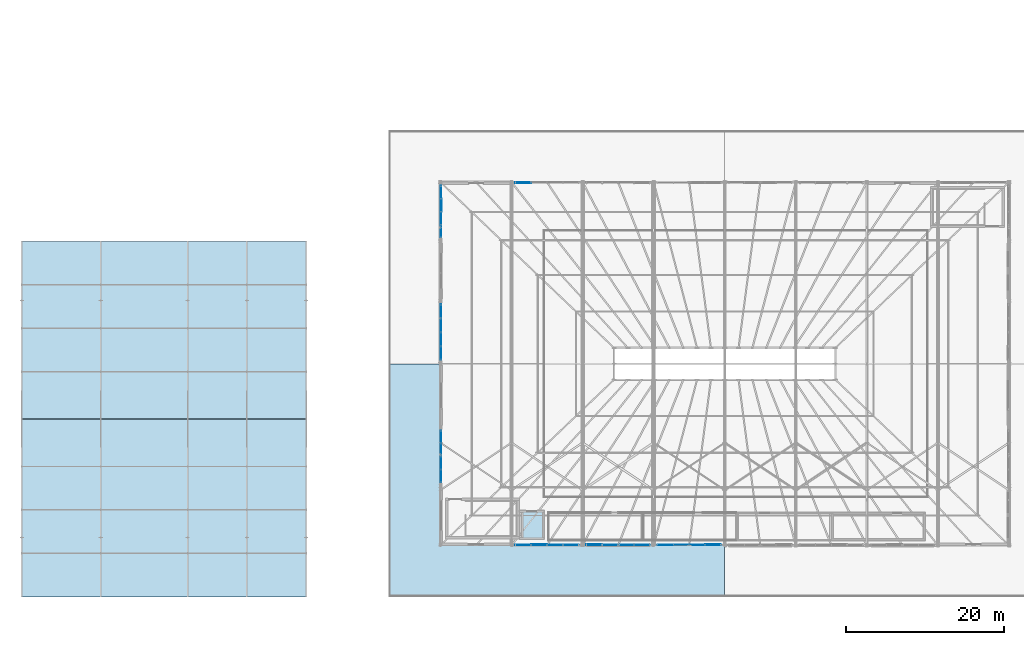
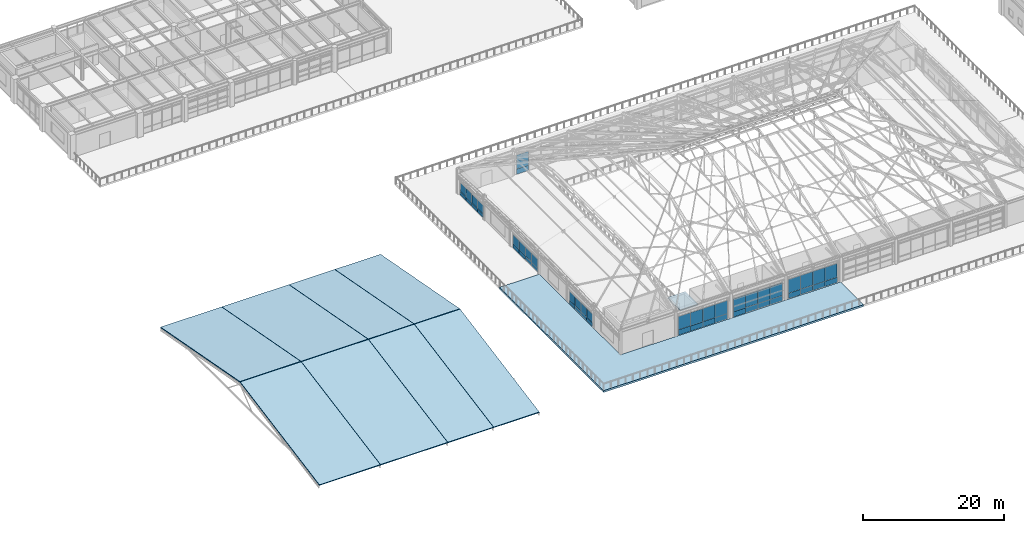
# One storey, part 131 of 168: 50 plates, 10 slabs, 7 elements without a shape of their own.
"""IFC4 building model written with IfcOpenShell, lengths in metres."""

from ifc_helpers import new_model, si_unit, direction, frame, origin, origin_2d, place, context, subcontext, project, spatial, polyline, rectangle, outline, extrude, material, layer, layer_set, type_object, element, aggregate, save


model = new_model("IFC4")

# Units and contexts
model_context = context("Model", 3, precision=1e-05, world=origin(), true_north=direction((0.0, 1.0)))
body_context = subcontext(model_context, "Body", "Model", "MODEL_VIEW")
ifc_project = project(units=[si_unit("LENGTHUNIT", "METRE"), si_unit("AREAUNIT", "SQUARE_METRE"), si_unit("VOLUMEUNIT", "CUBIC_METRE"), si_unit("PLANEANGLEUNIT", "RADIAN"), si_unit("MASSUNIT", "GRAM", prefix="KILO"), si_unit("THERMODYNAMICTEMPERATUREUNIT", "KELVIN"), si_unit("POWERUNIT", "WATT")], contexts=[model_context])

# Site, building, storey
site_placement = place(None, origin())
site = spatial("IfcSite", under=ifc_project, at=site_placement, CompositionType="ELEMENT")
building_placement = place(site_placement, origin())
building = spatial("IfcBuilding", under=site, at=building_placement, Name="Tepalcoro Natatorium and Aquatics Centre", CompositionType="ELEMENT")
storey_placement = place(building_placement, frame((0.0, 0.0, 10.199951171875)))
storey = spatial("IfcBuildingStorey", under=building, at=storey_placement, Name="L02", CompositionType="ELEMENT", Elevation=10.199951171875)

# Curtain wall, plate
ifc_material_1 = material(Name="Bronze-Anodised Extruded Aluminium Alloy EN AW-6063 T6", Category="aluminium")
curtain_wall_type_1 = type_object("IfcCurtainWallType", Name="CW_V3_FOYER", PredefinedType="USERDEFINED", material=ifc_material_1)
curtain_wall_1_placement = place(storey_placement, origin())
curtain_wall_1 = element("IfcCurtainWall", 1, at=curtain_wall_1_placement, inside=storey, type_object=curtain_wall_type_1, Name="V1 L02 S Unitised Curtain Wall Bay 2", ObjectType="UNITISED STOREFRONT", PredefinedType="USERDEFINED")
ifc_material_2 = material(Name="Solar-Control Bronze Tempered Low-E Double Glazing", Category="glass")
ifc_layer_1 = layer(ifc_material_2, 0.048095703125)
ifc_layer_set_1 = layer_set([ifc_layer_1], Name="Solar-Control Bronze Tempered Low-E Double Glazing")
plate_type_1 = type_object("IfcPlateType", Name="PL_ACOUSTIC_IGU_48", PredefinedType="CURTAIN_PANEL", material=ifc_layer_set_1)
plate_1_placement = place(storey_placement, frame((65.4951171875, 13.0712890625, 0.9560546875), z_axis=(0.0, 0.0, 1.0), x_axis=(1.0, 0.0, 0.0)))
plate_1 = element("IfcPlate", 2, at=plate_1_placement, type_object=plate_type_1, Name="CW_V3_FOYER Insulated Glazing Unit", PredefinedType="CURTAIN_PANEL", context=body_context, shape_type="SweptSolid", body=[
    extrude(rectangle(XDim=1.989990234375, YDim=0.048095703125, at=origin_2d()), origin(), (0.0, 0.0, 1.0), 2.26806640625),
])

# Curtain wall, plates
curtain_wall_type_2 = type_object("IfcCurtainWallType", Name="CW_V4_VILLAGE", PredefinedType="USERDEFINED", material=ifc_material_1)
curtain_wall_2_placement = place(storey_placement, origin())
curtain_wall_2 = element("IfcCurtainWall", 3, at=curtain_wall_2_placement, inside=storey, type_object=curtain_wall_type_2, Name="V1 L02 S Unitised Curtain Wall Bay 3", ObjectType="UNITISED STOREFRONT", PredefinedType="USERDEFINED")
plate_2_placement = place(storey_placement, frame((72.485107421875, 13.0712890625, 0.93701171875), z_axis=(0.0, 0.0, 1.0), x_axis=(1.0, 0.0, 0.0)))
plate_2 = element("IfcPlate", 4, at=plate_2_placement, type_object=plate_type_1, Name="CW_V4_VILLAGE Insulated Glazing Unit", PredefinedType="CURTAIN_PANEL", context=body_context, shape_type="SweptSolid", body=[
    extrude(rectangle(XDim=1.989990234375, YDim=0.048095703125, at=origin_2d()), origin(), (0.0, 0.0, 1.0), 2.2109375),
])
plate_3_placement = place(storey_placement, frame((78.514892578125, 13.0712890625, 0.93701171875), z_axis=(0.0, 0.0, 1.0), x_axis=(1.0, 0.0, 0.0)))
plate_3 = element("IfcPlate", 5, at=plate_3_placement, type_object=plate_type_1, Name="CW_V4_VILLAGE Insulated Glazing Unit", PredefinedType="CURTAIN_PANEL", context=body_context, shape_type="SweptSolid", body=[
    extrude(rectangle(XDim=1.989990234375, YDim=0.048095703125, at=origin_2d()), origin(), (0.0, 0.0, 1.0), 2.2109375),
])

# Curtain wall, plate
curtain_wall_type_3 = type_object("IfcCurtainWallType", Name="CW_V5_LOWER", PredefinedType="USERDEFINED", material=ifc_material_1)
curtain_wall_3_placement = place(storey_placement, origin())
curtain_wall_3 = element("IfcCurtainWall", 6, at=curtain_wall_3_placement, inside=storey, type_object=curtain_wall_type_3, Name="V1 L02 S Unitised Curtain Wall Bay 4", ObjectType="UNITISED STOREFRONT", PredefinedType="USERDEFINED")
plate_4_placement = place(storey_placement, frame((85.5048828125, 13.080078125, 0.9599609375), z_axis=(0.0, 0.0, 1.0), x_axis=(1.0, 0.0, 0.0)))
plate_4 = element("IfcPlate", 7, at=plate_4_placement, type_object=plate_type_1, Name="CW_V5_LOWER Insulated Glazing Unit", PredefinedType="CURTAIN_PANEL", context=body_context, shape_type="SweptSolid", body=[
    extrude(rectangle(XDim=1.989990234375, YDim=0.048095703125, at=origin_2d()), origin(), (0.0, 0.0, 1.0), 2.386962890625),
])

curtain_wall_type_4 = type_object("IfcCurtainWallType", Name="CW_LEAN_T1_NS", PredefinedType="USERDEFINED", material=ifc_material_1)
curtain_wall_4_placement = place(storey_placement, origin())
curtain_wall_4 = element("IfcCurtainWall", 8, at=curtain_wall_4_placement, inside=storey, type_object=curtain_wall_type_4, Name="V1 L02 W Unitised Curtain Wall Bay 2", ObjectType="FACETED SOLAR GLAZING", PredefinedType="USERDEFINED")
plate_5_placement = place(storey_placement, frame((53.06494140625, 23.4326171875, 0.654541015625), z_axis=(0.0, 0.0, 1.0), x_axis=(1.0, 0.0, 0.0)))
plate_5 = element("IfcPlate", 9, at=plate_5_placement, type_object=plate_type_1, Name="CW_LEAN_T1_NS Insulated Glazing Unit", PredefinedType="CURTAIN_PANEL", context=body_context, shape_type="SweptSolid", body=[
    extrude(rectangle(XDim=0.048095703125, YDim=1.614990234375, at=origin_2d()), origin(), (0.0, 0.0, 1.0), 1.5009765625),
])

# Curtain wall, plates
curtain_wall_type_5 = type_object("IfcCurtainWallType", Name="CW_LEAN_T2_NS", PredefinedType="USERDEFINED", material=ifc_material_1)
curtain_wall_5_placement = place(storey_placement, origin())
curtain_wall_5 = element("IfcCurtainWall", 10, at=curtain_wall_5_placement, inside=storey, type_object=curtain_wall_type_5, Name="V1 L02 W Unitised Curtain Wall Bay 4", ObjectType="FACETED SOLAR GLAZING", PredefinedType="USERDEFINED")
plate_6_placement = place(storey_placement, frame((53.076171875, 37.360107421875, 0.68505859375), z_axis=(0.0, 0.0, 1.0), x_axis=(1.0, 0.0, 0.0)))
plate_6 = element("IfcPlate", 11, at=plate_6_placement, type_object=plate_type_1, Name="CW_LEAN_T2_NS Insulated Glazing Unit", PredefinedType="CURTAIN_PANEL", context=body_context, shape_type="SweptSolid", body=[
    extrude(rectangle(XDim=0.048095703125, YDim=1.739990234375, at=origin_2d()), origin(), (0.0, 0.0, 1.0), 1.572998046875),
])
plate_7_placement = place(storey_placement, frame((53.076171875, 42.639892578125, 0.68505859375), z_axis=(0.0, 0.0, 1.0), x_axis=(1.0, 0.0, 0.0)))
plate_7 = element("IfcPlate", 12, at=plate_7_placement, type_object=plate_type_1, Name="CW_LEAN_T2_NS Insulated Glazing Unit", PredefinedType="CURTAIN_PANEL", context=body_context, shape_type="SweptSolid", body=[
    extrude(rectangle(XDim=0.048095703125, YDim=1.739990234375, at=origin_2d()), origin(), (0.0, 0.0, 1.0), 1.572998046875),
])

# Curtain wall, plate
curtain_wall_type_6 = type_object("IfcCurtainWallType", Name="CW_V1_PLINTH", PredefinedType="USERDEFINED", material=ifc_material_1)
curtain_wall_6_placement = place(storey_placement, origin())
curtain_wall_6 = element("IfcCurtainWall", 13, at=curtain_wall_6_placement, inside=storey, type_object=curtain_wall_type_6, Name="V1 L02 W Unitised Curtain Wall Bay 6", ObjectType="UNITISED STOREFRONT", PredefinedType="USERDEFINED")
plate_8_placement = place(storey_placement, frame((53.090087890625, 56.0673828125, 0.654541015625), z_axis=(0.0, 0.0, 1.0), x_axis=(1.0, 0.0, 0.0)))
plate_8 = element("IfcPlate", 14, at=plate_8_placement, type_object=plate_type_1, Name="CW_V1_PLINTH Insulated Glazing Unit", PredefinedType="CURTAIN_PANEL", context=body_context, shape_type="SweptSolid", body=[
    extrude(rectangle(XDim=0.048095703125, YDim=1.614990234375, at=origin_2d()), origin(), (0.0, 0.0, 1.0), 1.5009765625),
])

# Plate
ifc_layer_2 = layer(ifc_material_2, 0.028076171875)
ifc_layer_set_2 = layer_set([ifc_layer_2], Name="Solar-Control Bronze Tempered Low-E Double Glazing")
plate_type_2 = type_object("IfcPlateType", Name="PL_BRONZE_IGU_28", PredefinedType="CURTAIN_PANEL", material=ifc_layer_set_2)
plate_9_placement = place(storey_placement, frame((63.485107421875, 13.0712890625, 0.9560546875), z_axis=(0.0, 0.0, 1.0), x_axis=(1.0, 0.0, 0.0)))
plate_9 = element("IfcPlate", 15, at=plate_9_placement, type_object=plate_type_2, Name="CW_V3_FOYER Insulated Glazing Unit", PredefinedType="CURTAIN_PANEL", context=body_context, shape_type="SweptSolid", body=[
    extrude(rectangle(XDim=1.989990234375, YDim=0.028076171875, at=origin_2d()), origin(), (0.0, 0.0, 1.0), 2.26806640625),
])

plate_10_placement = place(storey_placement, frame((69.514892578125, 13.0712890625, 0.9560546875), z_axis=(0.0, 0.0, 1.0), x_axis=(1.0, 0.0, 0.0)))
plate_10 = element("IfcPlate", 16, at=plate_10_placement, type_object=plate_type_2, Name="CW_V3_FOYER Insulated Glazing Unit", PredefinedType="CURTAIN_PANEL", context=body_context, shape_type="SweptSolid", body=[
    extrude(rectangle(XDim=1.989990234375, YDim=0.028076171875, at=origin_2d()), origin(), (0.0, 0.0, 1.0), 2.26806640625),
])

plate_11_placement = place(storey_placement, frame((76.5048828125, 13.0712890625, 0.93701171875), z_axis=(0.0, 0.0, 1.0), x_axis=(1.0, 0.0, 0.0)))
plate_11 = element("IfcPlate", 17, at=plate_11_placement, type_object=plate_type_2, Name="CW_V4_VILLAGE Insulated Glazing Unit", PredefinedType="CURTAIN_PANEL", context=body_context, shape_type="SweptSolid", body=[
    extrude(rectangle(XDim=1.989990234375, YDim=0.028076171875, at=origin_2d()), origin(), (0.0, 0.0, 1.0), 2.2109375),
])

plate_12_placement = place(storey_placement, frame((83.4951171875, 13.080078125, 0.9599609375), z_axis=(0.0, 0.0, 1.0), x_axis=(1.0, 0.0, 0.0)))
plate_12 = element("IfcPlate", 18, at=plate_12_placement, type_object=plate_type_2, Name="CW_V5_LOWER Insulated Glazing Unit", PredefinedType="CURTAIN_PANEL", context=body_context, shape_type="SweptSolid", body=[
    extrude(rectangle(XDim=1.989990234375, YDim=0.028076171875, at=origin_2d()), origin(), (0.0, 0.0, 1.0), 2.386962890625),
])

# Curtain wall, plate
curtain_wall_type_7 = type_object("IfcCurtainWallType", Name="CW_LEAN_T1_EW", PredefinedType="USERDEFINED", material=ifc_material_1)
curtain_wall_7_placement = place(storey_placement, origin())
curtain_wall_7 = element("IfcCurtainWall", 19, at=curtain_wall_7_placement, inside=storey, type_object=curtain_wall_type_7, Name="V1 L02 N Unitised Curtain Wall Bay 2", ObjectType="FACETED SOLAR GLAZING", PredefinedType="USERDEFINED")
plate_13_placement = place(storey_placement, frame((63.485107421875, 58.9287109375, 0.9599609375), z_axis=(0.0, 0.0, 1.0), x_axis=(1.0, 0.0, 0.0)))
plate_13 = element("IfcPlate", 20, at=plate_13_placement, type_object=plate_type_2, Name="CW_LEAN_T1_EW Insulated Glazing Unit", PredefinedType="CURTAIN_PANEL", context=body_context, shape_type="SweptSolid", body=[
    extrude(rectangle(XDim=1.989990234375, YDim=0.028076171875, at=origin_2d()), origin(), (0.0, 0.0, 1.0), 2.386962890625),
])

# Plate
plate_14_placement = place(storey_placement, frame((53.06494140625, 21.797607421875, 0.654541015625), z_axis=(0.0, 0.0, 1.0), x_axis=(1.0, 0.0, 0.0)))
plate_14 = element("IfcPlate", 21, at=plate_14_placement, type_object=plate_type_2, Name="CW_LEAN_T1_NS Insulated Glazing Unit", PredefinedType="CURTAIN_PANEL", context=body_context, shape_type="SweptSolid", body=[
    extrude(rectangle(XDim=0.028076171875, YDim=1.614990234375, at=origin_2d()), origin(), (0.0, 0.0, 1.0), 1.5009765625),
])

plate_15_placement = place(storey_placement, frame((53.06494140625, 26.702392578125, 0.654541015625), z_axis=(0.0, 0.0, 1.0), x_axis=(1.0, 0.0, 0.0)))
plate_15 = element("IfcPlate", 22, at=plate_15_placement, type_object=plate_type_2, Name="CW_LEAN_T1_NS Insulated Glazing Unit", PredefinedType="CURTAIN_PANEL", context=body_context, shape_type="SweptSolid", body=[
    extrude(rectangle(XDim=0.028076171875, YDim=1.614990234375, at=origin_2d()), origin(), (0.0, 0.0, 1.0), 1.5009765625),
])

plate_16_placement = place(storey_placement, frame((53.076171875, 40.8798828125, 0.68505859375), z_axis=(0.0, 0.0, 1.0), x_axis=(1.0, 0.0, 0.0)))
plate_16 = element("IfcPlate", 23, at=plate_16_placement, type_object=plate_type_2, Name="CW_LEAN_T2_NS Insulated Glazing Unit", PredefinedType="CURTAIN_PANEL", context=body_context, shape_type="SweptSolid", body=[
    extrude(rectangle(XDim=0.028076171875, YDim=1.739990234375, at=origin_2d()), origin(), (0.0, 0.0, 1.0), 1.572998046875),
])

plate_17_placement = place(storey_placement, frame((53.090087890625, 54.4326171875, 0.654541015625), z_axis=(0.0, 0.0, 1.0), x_axis=(1.0, 0.0, 0.0)))
plate_17 = element("IfcPlate", 24, at=plate_17_placement, type_object=plate_type_2, Name="CW_V1_PLINTH Insulated Glazing Unit", PredefinedType="CURTAIN_PANEL", context=body_context, shape_type="SweptSolid", body=[
    extrude(rectangle(XDim=0.028076171875, YDim=1.614990234375, at=origin_2d()), origin(), (0.0, 0.0, 1.0), 1.5009765625),
])

ifc_material_3 = material(Name="Jalisco Cantera Rosa Volcanic Tuff Ashlar Masonry", Category="masonry")
ifc_layer_3 = layer(ifc_material_3, 0.090087890625)
ifc_layer_set_3 = layer_set([ifc_layer_3], Name="Jalisco Cantera Rosa Volcanic Tuff Ashlar Masonry")
plate_type_3 = type_object("IfcPlateType", Name="PL_CANTERA_90", PredefinedType="SHEET", material=ifc_layer_set_3)
plate_18_placement = place(storey_placement, frame((63.485107421875, 13.0712890625, 0.044921875), z_axis=(0.0, 0.0, 1.0), x_axis=(1.0, 0.0, 0.0)))
plate_18 = element("IfcPlate", 25, at=plate_18_placement, type_object=plate_type_3, Name="CW_V3_FOYER Spandrel & Screen Panel", PredefinedType="SHEET", context=body_context, shape_type="SweptSolid", body=[
    extrude(rectangle(XDim=1.989990234375, YDim=0.090087890625, at=origin_2d()), origin(), (0.0, 0.0, 1.0), 0.906005859375),
])

plate_19_placement = place(storey_placement, frame((87.514892578125, 13.080078125, 0.044921875), z_axis=(0.0, 0.0, 1.0), x_axis=(1.0, 0.0, 0.0)))
plate_19 = element("IfcPlate", 26, at=plate_19_placement, type_object=plate_type_3, Name="CW_V5_LOWER Spandrel & Screen Panel", PredefinedType="SHEET", context=body_context, shape_type="SweptSolid", body=[
    extrude(rectangle(XDim=1.989990234375, YDim=0.090087890625, at=origin_2d()), origin(), (0.0, 0.0, 1.0), 0.909912109375),
])

plate_20_placement = place(storey_placement, frame((53.06494140625, 26.702392578125, 0.045166015625), z_axis=(0.0, 0.0, 1.0), x_axis=(1.0, 0.0, 0.0)))
plate_20 = element("IfcPlate", 27, at=plate_20_placement, type_object=plate_type_3, Name="CW_LEAN_T1_NS Spandrel & Screen Panel", PredefinedType="SHEET", context=body_context, shape_type="SweptSolid", body=[
    extrude(rectangle(XDim=0.090087890625, YDim=1.614990234375, at=origin_2d()), origin(), (0.0, 0.0, 1.0), 0.6044921875),
])

plate_21_placement = place(storey_placement, frame((53.076171875, 40.8798828125, 0.044921875), z_axis=(0.0, 0.0, 1.0), x_axis=(1.0, 0.0, 0.0)))
plate_21 = element("IfcPlate", 28, at=plate_21_placement, type_object=plate_type_3, Name="CW_LEAN_T2_NS Spandrel & Screen Panel", PredefinedType="SHEET", context=body_context, shape_type="SweptSolid", body=[
    extrude(rectangle(XDim=0.090087890625, YDim=1.739990234375, at=origin_2d()), origin(), (0.0, 0.0, 1.0), 0.635009765625),
])

plate_22_placement = place(storey_placement, frame((53.090087890625, 54.4326171875, 0.045166015625), z_axis=(0.0, 0.0, 1.0), x_axis=(1.0, 0.0, 0.0)))
plate_22 = element("IfcPlate", 29, at=plate_22_placement, type_object=plate_type_3, Name="CW_V1_PLINTH Spandrel & Screen Panel", PredefinedType="SHEET", context=body_context, shape_type="SweptSolid", body=[
    extrude(rectangle(XDim=0.090087890625, YDim=1.614990234375, at=origin_2d()), origin(), (0.0, 0.0, 1.0), 0.6044921875),
])

ifc_material_4 = material(Name="Clear Tempered Low-E Safety Glazing", Category="glass")
ifc_layer_4 = layer(ifc_material_4, 0.011962890625)
ifc_layer_set_4 = layer_set([ifc_layer_4], Name="Clear Tempered Low-E Safety Glazing")
plate_type_4 = type_object("IfcPlateType", Name="PL_GLASS_12", PredefinedType="CURTAIN_PANEL", material=ifc_layer_set_4)
plate_23_placement = place(storey_placement, frame((67.5048828125, 13.0712890625, 0.9560546875), z_axis=(0.0, 0.0, 1.0), x_axis=(1.0, 0.0, 0.0)))
plate_23 = element("IfcPlate", 30, at=plate_23_placement, type_object=plate_type_4, Name="CW_V3_FOYER Insulated Glazing Unit", PredefinedType="CURTAIN_PANEL", context=body_context, shape_type="SweptSolid", body=[
    extrude(rectangle(XDim=1.989990234375, YDim=0.011962890625, at=origin_2d()), origin(), (0.0, 0.0, 1.0), 2.26806640625),
])

plate_24_placement = place(storey_placement, frame((74.4951171875, 13.0712890625, 0.93701171875), z_axis=(0.0, 0.0, 1.0), x_axis=(1.0, 0.0, 0.0)))
plate_24 = element("IfcPlate", 31, at=plate_24_placement, type_object=plate_type_4, Name="CW_V4_VILLAGE Insulated Glazing Unit", PredefinedType="CURTAIN_PANEL", context=body_context, shape_type="SweptSolid", body=[
    extrude(rectangle(XDim=1.989990234375, YDim=0.011962890625, at=origin_2d()), origin(), (0.0, 0.0, 1.0), 2.2109375),
])

plate_25_placement = place(storey_placement, frame((81.485107421875, 13.080078125, 0.9599609375), z_axis=(0.0, 0.0, 1.0), x_axis=(1.0, 0.0, 0.0)))
plate_25 = element("IfcPlate", 32, at=plate_25_placement, type_object=plate_type_4, Name="CW_V5_LOWER Insulated Glazing Unit", PredefinedType="CURTAIN_PANEL", context=body_context, shape_type="SweptSolid", body=[
    extrude(rectangle(XDim=1.989990234375, YDim=0.011962890625, at=origin_2d()), origin(), (0.0, 0.0, 1.0), 2.386962890625),
])

plate_26_placement = place(storey_placement, frame((87.514892578125, 13.080078125, 0.9599609375), z_axis=(0.0, 0.0, 1.0), x_axis=(1.0, 0.0, 0.0)))
plate_26 = element("IfcPlate", 33, at=plate_26_placement, type_object=plate_type_4, Name="CW_V5_LOWER Insulated Glazing Unit", PredefinedType="CURTAIN_PANEL", context=body_context, shape_type="SweptSolid", body=[
    extrude(rectangle(XDim=1.989990234375, YDim=0.011962890625, at=origin_2d()), origin(), (0.0, 0.0, 1.0), 2.386962890625),
])

plate_27_placement = place(storey_placement, frame((53.06494140625, 25.0673828125, 0.654541015625), z_axis=(0.0, 0.0, 1.0), x_axis=(1.0, 0.0, 0.0)))
plate_27 = element("IfcPlate", 34, at=plate_27_placement, type_object=plate_type_4, Name="CW_LEAN_T1_NS Insulated Glazing Unit", PredefinedType="CURTAIN_PANEL", context=body_context, shape_type="SweptSolid", body=[
    extrude(rectangle(XDim=0.011962890625, YDim=1.614990234375, at=origin_2d()), origin(), (0.0, 0.0, 1.0), 1.5009765625),
])

plate_28_placement = place(storey_placement, frame((53.076171875, 39.1201171875, 0.68505859375), z_axis=(0.0, 0.0, 1.0), x_axis=(1.0, 0.0, 0.0)))
plate_28 = element("IfcPlate", 35, at=plate_28_placement, type_object=plate_type_4, Name="CW_LEAN_T2_NS Insulated Glazing Unit", PredefinedType="CURTAIN_PANEL", context=body_context, shape_type="SweptSolid", body=[
    extrude(rectangle(XDim=0.011962890625, YDim=1.739990234375, at=origin_2d()), origin(), (0.0, 0.0, 1.0), 1.572998046875),
])

plate_29_placement = place(storey_placement, frame((53.090087890625, 52.797607421875, 0.654541015625), z_axis=(0.0, 0.0, 1.0), x_axis=(1.0, 0.0, 0.0)))
plate_29 = element("IfcPlate", 36, at=plate_29_placement, type_object=plate_type_4, Name="CW_V1_PLINTH Insulated Glazing Unit", PredefinedType="CURTAIN_PANEL", context=body_context, shape_type="SweptSolid", body=[
    extrude(rectangle(XDim=0.011962890625, YDim=1.614990234375, at=origin_2d()), origin(), (0.0, 0.0, 1.0), 1.5009765625),
])

plate_30_placement = place(storey_placement, frame((53.090087890625, 57.702392578125, 0.654541015625), z_axis=(0.0, 0.0, 1.0), x_axis=(1.0, 0.0, 0.0)))
plate_30 = element("IfcPlate", 37, at=plate_30_placement, type_object=plate_type_4, Name="CW_V1_PLINTH Insulated Glazing Unit", PredefinedType="CURTAIN_PANEL", context=body_context, shape_type="SweptSolid", body=[
    extrude(rectangle(XDim=0.011962890625, YDim=1.614990234375, at=origin_2d()), origin(), (0.0, 0.0, 1.0), 1.5009765625),
])

ifc_material_5 = material(Name="Volcanic Recinto Basalt Ashlar Masonry", Category="masonry")
ifc_layer_5 = layer(ifc_material_5, 0.110107421875)
ifc_layer_set_5 = layer_set([ifc_layer_5], Name="Volcanic Recinto Basalt Ashlar Masonry")
plate_type_5 = type_object("IfcPlateType", Name="PL_RECINTO_110", PredefinedType="SHEET", material=ifc_layer_set_5)
plate_31_placement = place(storey_placement, frame((65.4951171875, 13.0712890625, 0.044921875), z_axis=(0.0, 0.0, 1.0), x_axis=(1.0, 0.0, 0.0)))
plate_31 = element("IfcPlate", 38, at=plate_31_placement, type_object=plate_type_5, Name="CW_V3_FOYER Spandrel & Screen Panel", PredefinedType="SHEET", context=body_context, shape_type="SweptSolid", body=[
    extrude(rectangle(XDim=1.989990234375, YDim=0.110107421875, at=origin_2d()), origin(), (0.0, 0.0, 1.0), 0.906005859375),
])

plate_32_placement = place(storey_placement, frame((72.485107421875, 13.0712890625, 0.044921875), z_axis=(0.0, 0.0, 1.0), x_axis=(1.0, 0.0, 0.0)))
plate_32 = element("IfcPlate", 39, at=plate_32_placement, type_object=plate_type_5, Name="CW_V4_VILLAGE Spandrel & Screen Panel", PredefinedType="SHEET", context=body_context, shape_type="SweptSolid", body=[
    extrude(rectangle(XDim=1.989990234375, YDim=0.110107421875, at=origin_2d()), origin(), (0.0, 0.0, 1.0), 0.886962890625),
])

plate_33_placement = place(storey_placement, frame((63.485107421875, 58.9287109375, 0.044921875), z_axis=(0.0, 0.0, 1.0), x_axis=(1.0, 0.0, 0.0)))
plate_33 = element("IfcPlate", 40, at=plate_33_placement, type_object=plate_type_5, Name="CW_LEAN_T1_EW Spandrel & Screen Panel", PredefinedType="SHEET", context=body_context, shape_type="SweptSolid", body=[
    extrude(rectangle(XDim=1.989990234375, YDim=0.110107421875, at=origin_2d()), origin(), (0.0, 0.0, 1.0), 0.909912109375),
])

aggregate(curtain_wall_7, [plate_13, plate_33])

plate_34_placement = place(storey_placement, frame((53.076171875, 42.639892578125, 0.044921875), z_axis=(0.0, 0.0, 1.0), x_axis=(1.0, 0.0, 0.0)))
plate_34 = element("IfcPlate", 41, at=plate_34_placement, type_object=plate_type_5, Name="CW_LEAN_T2_NS Spandrel & Screen Panel", PredefinedType="SHEET", context=body_context, shape_type="SweptSolid", body=[
    extrude(rectangle(XDim=0.110107421875, YDim=1.739990234375, at=origin_2d()), origin(), (0.0, 0.0, 1.0), 0.635009765625),
])

plate_35_placement = place(storey_placement, frame((53.090087890625, 56.0673828125, 0.045166015625), z_axis=(0.0, 0.0, 1.0), x_axis=(1.0, 0.0, 0.0)))
plate_35 = element("IfcPlate", 42, at=plate_35_placement, type_object=plate_type_5, Name="CW_V1_PLINTH Spandrel & Screen Panel", PredefinedType="SHEET", context=body_context, shape_type="SweptSolid", body=[
    extrude(rectangle(XDim=0.110107421875, YDim=1.614990234375, at=origin_2d()), origin(), (0.0, 0.0, 1.0), 0.6044921875),
])

ifc_layer_6 = layer(ifc_material_1, 0.050048828125)
ifc_layer_set_6 = layer_set([ifc_layer_6], Name="Bronze-Anodised Extruded Aluminium Alloy EN AW-6063 T6")
plate_type_6 = type_object("IfcPlateType", Name="PL_SCREEN_50", PredefinedType="SHEET", material=ifc_layer_set_6)
plate_36_placement = place(storey_placement, frame((69.514892578125, 13.0712890625, 0.044921875), z_axis=(0.0, 0.0, 1.0), x_axis=(1.0, 0.0, 0.0)))
plate_36 = element("IfcPlate", 43, at=plate_36_placement, type_object=plate_type_6, Name="CW_V3_FOYER Spandrel & Screen Panel", PredefinedType="SHEET", context=body_context, shape_type="SweptSolid", body=[
    extrude(rectangle(XDim=1.989990234375, YDim=0.050048828125, at=origin_2d()), origin(), (0.0, 0.0, 1.0), 0.906005859375),
])

plate_37_placement = place(storey_placement, frame((76.5048828125, 13.0712890625, 0.044921875), z_axis=(0.0, 0.0, 1.0), x_axis=(1.0, 0.0, 0.0)))
plate_37 = element("IfcPlate", 44, at=plate_37_placement, type_object=plate_type_6, Name="CW_V4_VILLAGE Spandrel & Screen Panel", PredefinedType="SHEET", context=body_context, shape_type="SweptSolid", body=[
    extrude(rectangle(XDim=1.989990234375, YDim=0.050048828125, at=origin_2d()), origin(), (0.0, 0.0, 1.0), 0.886962890625),
])

plate_38_placement = place(storey_placement, frame((83.4951171875, 13.080078125, 0.044921875), z_axis=(0.0, 0.0, 1.0), x_axis=(1.0, 0.0, 0.0)))
plate_38 = element("IfcPlate", 45, at=plate_38_placement, type_object=plate_type_6, Name="CW_V5_LOWER Spandrel & Screen Panel", PredefinedType="SHEET", context=body_context, shape_type="SweptSolid", body=[
    extrude(rectangle(XDim=1.989990234375, YDim=0.050048828125, at=origin_2d()), origin(), (0.0, 0.0, 1.0), 0.909912109375),
])

plate_39_placement = place(storey_placement, frame((53.06494140625, 23.4326171875, 0.045166015625), z_axis=(0.0, 0.0, 1.0), x_axis=(1.0, 0.0, 0.0)))
plate_39 = element("IfcPlate", 46, at=plate_39_placement, type_object=plate_type_6, Name="CW_LEAN_T1_NS Spandrel & Screen Panel", PredefinedType="SHEET", context=body_context, shape_type="SweptSolid", body=[
    extrude(rectangle(XDim=0.050048828125, YDim=1.614990234375, at=origin_2d()), origin(), (0.0, 0.0, 1.0), 0.6044921875),
])

plate_40_placement = place(storey_placement, frame((53.076171875, 37.360107421875, 0.044921875), z_axis=(0.0, 0.0, 1.0), x_axis=(1.0, 0.0, 0.0)))
plate_40 = element("IfcPlate", 47, at=plate_40_placement, type_object=plate_type_6, Name="CW_LEAN_T2_NS Spandrel & Screen Panel", PredefinedType="SHEET", context=body_context, shape_type="SweptSolid", body=[
    extrude(rectangle(XDim=0.050048828125, YDim=1.739990234375, at=origin_2d()), origin(), (0.0, 0.0, 1.0), 0.635009765625),
])

ifc_layer_7 = layer(ifc_material_1, 0.06005859375)
ifc_layer_set_7 = layer_set([ifc_layer_7], Name="Bronze-Anodised Extruded Aluminium Alloy EN AW-6063 T6")
plate_type_7 = type_object("IfcPlateType", Name="PL_SCREEN_60", PredefinedType="SHEET", material=ifc_layer_set_7)
plate_41_placement = place(storey_placement, frame((78.514892578125, 13.0712890625, 0.044921875), z_axis=(0.0, 0.0, 1.0), x_axis=(1.0, 0.0, 0.0)))
plate_41 = element("IfcPlate", 48, at=plate_41_placement, type_object=plate_type_7, Name="CW_V4_VILLAGE Spandrel & Screen Panel", PredefinedType="SHEET", context=body_context, shape_type="SweptSolid", body=[
    extrude(rectangle(XDim=1.989990234375, YDim=0.06005859375, at=origin_2d()), origin(), (0.0, 0.0, 1.0), 0.886962890625),
])

plate_42_placement = place(storey_placement, frame((85.5048828125, 13.080078125, 0.044921875), z_axis=(0.0, 0.0, 1.0), x_axis=(1.0, 0.0, 0.0)))
plate_42 = element("IfcPlate", 49, at=plate_42_placement, type_object=plate_type_7, Name="CW_V5_LOWER Spandrel & Screen Panel", PredefinedType="SHEET", context=body_context, shape_type="SweptSolid", body=[
    extrude(rectangle(XDim=1.989990234375, YDim=0.06005859375, at=origin_2d()), origin(), (0.0, 0.0, 1.0), 0.909912109375),
])

plate_43_placement = place(storey_placement, frame((53.06494140625, 25.0673828125, 0.045166015625), z_axis=(0.0, 0.0, 1.0), x_axis=(1.0, 0.0, 0.0)))
plate_43 = element("IfcPlate", 50, at=plate_43_placement, type_object=plate_type_7, Name="CW_LEAN_T1_NS Spandrel & Screen Panel", PredefinedType="SHEET", context=body_context, shape_type="SweptSolid", body=[
    extrude(rectangle(XDim=0.06005859375, YDim=1.614990234375, at=origin_2d()), origin(), (0.0, 0.0, 1.0), 0.6044921875),
])

plate_44_placement = place(storey_placement, frame((53.076171875, 39.1201171875, 0.044921875), z_axis=(0.0, 0.0, 1.0), x_axis=(1.0, 0.0, 0.0)))
plate_44 = element("IfcPlate", 51, at=plate_44_placement, type_object=plate_type_7, Name="CW_LEAN_T2_NS Spandrel & Screen Panel", PredefinedType="SHEET", context=body_context, shape_type="SweptSolid", body=[
    extrude(rectangle(XDim=0.06005859375, YDim=1.739990234375, at=origin_2d()), origin(), (0.0, 0.0, 1.0), 0.635009765625),
])

aggregate(curtain_wall_5, [plate_6, plate_40, plate_28, plate_44, plate_16, plate_21, plate_7, plate_34])

plate_45_placement = place(storey_placement, frame((53.090087890625, 52.797607421875, 0.045166015625), z_axis=(0.0, 0.0, 1.0), x_axis=(1.0, 0.0, 0.0)))
plate_45 = element("IfcPlate", 52, at=plate_45_placement, type_object=plate_type_7, Name="CW_V1_PLINTH Spandrel & Screen Panel", PredefinedType="SHEET", context=body_context, shape_type="SweptSolid", body=[
    extrude(rectangle(XDim=0.06005859375, YDim=1.614990234375, at=origin_2d()), origin(), (0.0, 0.0, 1.0), 0.6044921875),
])

ifc_material_6 = material(Name="Insulated Bronze Anodised Aluminium Spandrel Panel", Category="aluminium")
ifc_layer_8 = layer(ifc_material_6, 0.070068359375)
ifc_layer_set_8 = layer_set([ifc_layer_8], Name="Insulated Bronze Anodised Aluminium Spandrel Panel")
plate_type_8 = type_object("IfcPlateType", Name="PL_SPANDREL_70", PredefinedType="CURTAIN_PANEL", material=ifc_layer_set_8)
plate_46_placement = place(storey_placement, frame((67.5048828125, 13.0712890625, 0.044921875), z_axis=(0.0, 0.0, 1.0), x_axis=(1.0, 0.0, 0.0)))
plate_46 = element("IfcPlate", 53, at=plate_46_placement, type_object=plate_type_8, Name="CW_V3_FOYER Spandrel & Screen Panel", PredefinedType="CURTAIN_PANEL", context=body_context, shape_type="SweptSolid", body=[
    extrude(rectangle(XDim=1.989990234375, YDim=0.070068359375, at=origin_2d()), origin(), (0.0, 0.0, 1.0), 0.906005859375),
])

aggregate(curtain_wall_1, [plate_9, plate_18, plate_1, plate_31, plate_23, plate_46, plate_10, plate_36])

plate_47_placement = place(storey_placement, frame((74.4951171875, 13.0712890625, 0.044921875), z_axis=(0.0, 0.0, 1.0), x_axis=(1.0, 0.0, 0.0)))
plate_47 = element("IfcPlate", 54, at=plate_47_placement, type_object=plate_type_8, Name="CW_V4_VILLAGE Spandrel & Screen Panel", PredefinedType="CURTAIN_PANEL", context=body_context, shape_type="SweptSolid", body=[
    extrude(rectangle(XDim=1.989990234375, YDim=0.070068359375, at=origin_2d()), origin(), (0.0, 0.0, 1.0), 0.886962890625),
])

aggregate(curtain_wall_2, [plate_2, plate_32, plate_24, plate_47, plate_11, plate_37, plate_3, plate_41])

plate_48_placement = place(storey_placement, frame((81.485107421875, 13.080078125, 0.044921875), z_axis=(0.0, 0.0, 1.0), x_axis=(1.0, 0.0, 0.0)))
plate_48 = element("IfcPlate", 55, at=plate_48_placement, type_object=plate_type_8, Name="CW_V5_LOWER Spandrel & Screen Panel", PredefinedType="CURTAIN_PANEL", context=body_context, shape_type="SweptSolid", body=[
    extrude(rectangle(XDim=1.989990234375, YDim=0.070068359375, at=origin_2d()), origin(), (0.0, 0.0, 1.0), 0.909912109375),
])

aggregate(curtain_wall_3, [plate_25, plate_48, plate_12, plate_38, plate_4, plate_42, plate_26, plate_19])

plate_49_placement = place(storey_placement, frame((53.06494140625, 21.797607421875, 0.045166015625), z_axis=(0.0, 0.0, 1.0), x_axis=(1.0, 0.0, 0.0)))
plate_49 = element("IfcPlate", 56, at=plate_49_placement, type_object=plate_type_8, Name="CW_LEAN_T1_NS Spandrel & Screen Panel", PredefinedType="CURTAIN_PANEL", context=body_context, shape_type="SweptSolid", body=[
    extrude(rectangle(XDim=0.070068359375, YDim=1.614990234375, at=origin_2d()), origin(), (0.0, 0.0, 1.0), 0.6044921875),
])

aggregate(curtain_wall_4, [plate_14, plate_49, plate_5, plate_39, plate_27, plate_43, plate_15, plate_20])

plate_50_placement = place(storey_placement, frame((53.090087890625, 57.702392578125, 0.045166015625), z_axis=(0.0, 0.0, 1.0), x_axis=(1.0, 0.0, 0.0)))
plate_50 = element("IfcPlate", 57, at=plate_50_placement, type_object=plate_type_8, Name="CW_V1_PLINTH Spandrel & Screen Panel", PredefinedType="CURTAIN_PANEL", context=body_context, shape_type="SweptSolid", body=[
    extrude(rectangle(XDim=0.070068359375, YDim=1.614990234375, at=origin_2d()), origin(), (0.0, 0.0, 1.0), 0.6044921875),
])

aggregate(curtain_wall_6, [plate_29, plate_45, plate_17, plate_22, plate_8, plate_35, plate_30, plate_50])

# Slabs
ifc_material_7 = material(Name="Concrete C35/45 (fc 35 MPa)", Category="concrete")
ifc_layer_9 = layer(ifc_material_7, 0.199951171875)
ifc_layer_set_9 = layer_set([ifc_layer_9], Name="Concrete C35/45 (fc 35 MPa)")
slab_type_1 = type_object("IfcSlabType", Name="SL_LANDING_200", PredefinedType="LANDING", material=ifc_layer_set_9)
slab_1_placement = place(storey_placement, frame((0.0, 0.0, 3.449951171875)))
element("IfcSlab", 58, at=slab_1_placement, inside=storey, type_object=slab_type_1, Name="LF01 Lift Shaft Overrun Cap Slab", PredefinedType="FLOOR", context=body_context, shape_type="SweptSolid", body=[
    extrude(outline(polyline([(63.260009765625, 13.760009765625), (66.139892578125, 13.760009765625), (66.139892578125, 17.43994140625), (63.260009765625, 17.43994140625), (63.260009765625, 13.760009765625)])), origin(), (0.0, 0.0, 1.0), 0.2001953125),
])
ifc_layer_10 = layer(ifc_material_7, 0.159912109375)
ifc_layer_set_10 = layer_set([ifc_layer_10], Name="Concrete C35/45 (fc 35 MPa)")
slab_type_2 = type_object("IfcSlabType", Name="SL_ROOF_160", PredefinedType="ROOF", material=ifc_layer_set_10)
for number, where, z_axis, x_axis, name in (
    (59, (0.008056640625, 6.5, 0.0), (0.0, -0.183501381043, 0.983019452074), (1.0, 0.0, 0.0), "V3 Entrance Pediment Pitched Roof South 1"),
    (60, (9.991943359375, 51.5, 0.0), (0.0, 0.183501381043, 0.983019452074), (-1.0, 0.0, 0.0), "V3 Entrance Pediment Pitched Roof North 1"),
):
    element("IfcSlab", number, at=place(storey_placement, frame(where, z_axis=z_axis, x_axis=x_axis)), inside=storey, type_object=slab_type_2, Name=name, PredefinedType="ROOF", context=body_context, shape_type="SweptSolid", body=[
        extrude(outline(polyline([(0.0, 0.0), (9.98388671875, 0.0), (9.98388671875, 22.84793133047489), (0.0, 22.84793133047489), (0.0, 0.0)])), origin(), (0.0, 0.0, -1.0), 0.159912109375),
    ])
for number, where, z_axis, x_axis, name in (
    (61, (10.008056640625, 6.5, 0.0), (0.0, -0.183501381043, 0.983019452074), (1.0, 0.0, 0.0), "V3 Entrance Pediment Pitched Roof South 2"),
    (62, (20.991943359375, 51.5, 0.0), (0.0, 0.183501381043, 0.983019452074), (-1.0, 0.0, 0.0), "V3 Entrance Pediment Pitched Roof North 2"),
):
    element("IfcSlab", number, at=place(storey_placement, frame(where, z_axis=z_axis, x_axis=x_axis)), inside=storey, type_object=slab_type_2, Name=name, PredefinedType="ROOF", context=body_context, shape_type="SweptSolid", body=[
        extrude(outline(polyline([(0.0, 0.0), (10.98388671875, 0.0), (10.98388671875, 22.847931330474893), (0.0, 22.847931330474893), (0.0, 0.0)])), origin(), (0.0, 0.0, -1.0), 0.159912109375),
    ])
for number, where, z_axis, x_axis, name in (
    (63, (21.008056640625, 6.5, 0.0), (0.0, -0.183501381043, 0.983019452074), (1.0, 0.0, 0.0), "V3 Entrance Pediment Pitched Roof South 3"),
    (64, (28.491943359375, 51.5, 0.0), (0.0, 0.183501381043, 0.983019452074), (-1.0, 0.0, 0.0), "V3 Entrance Pediment Pitched Roof North 3"),
    (65, (28.508056640625, 6.5, 0.0), (0.0, -0.183501381043, 0.983019452074), (1.0, 0.0, 0.0), "V3 Entrance Pediment Pitched Roof South 4"),
    (66, (35.991943359375, 51.5, 0.0), (0.0, 0.183501381043, 0.983019452074), (-1.0, 0.0, 0.0), "V3 Entrance Pediment Pitched Roof North 4"),
):
    element("IfcSlab", number, at=place(storey_placement, frame(where, z_axis=z_axis, x_axis=x_axis)), inside=storey, type_object=slab_type_2, Name=name, PredefinedType="ROOF", context=body_context, shape_type="SweptSolid", body=[
        extrude(outline(polyline([(0.0, 0.0), (7.48388671875, 0.0), (7.48388671875, 22.84793133047489), (0.0, 22.84793133047489), (0.0, 0.0)])), origin(), (0.0, 0.0, -1.0), 0.159912109375),
    ])
ifc_layer_11 = layer(ifc_material_7, 0.320068359375)
ifc_layer_set_11 = layer_set([ifc_layer_11], Name="Concrete C35/45 (fc 35 MPa)")
slab_type_3 = type_object("IfcSlabType", Name="SL_TERRACE_320", PredefinedType="FLOOR", material=ifc_layer_set_11)
slab_2_placement = place(storey_placement, frame((0.0, 0.0, -0.320068359375)))
element("IfcSlab", 67, at=slab_2_placement, inside=storey, type_object=slab_type_3, Name="V1 L02 Planted Terrace Walkway SW", PredefinedType="FLOOR", context=body_context, shape_type="SweptSolid", body=[
    extrude(outline(polyline([(46.5, 36.0), (53.0, 36.0), (53.0, 13.0), (89.0, 13.0), (89.0, 6.5), (46.5, 6.5), (46.5, 36.0)])), origin(), (0.0, 0.0, 1.0), 0.320068359375),
])

save(model, "model.ifc")
